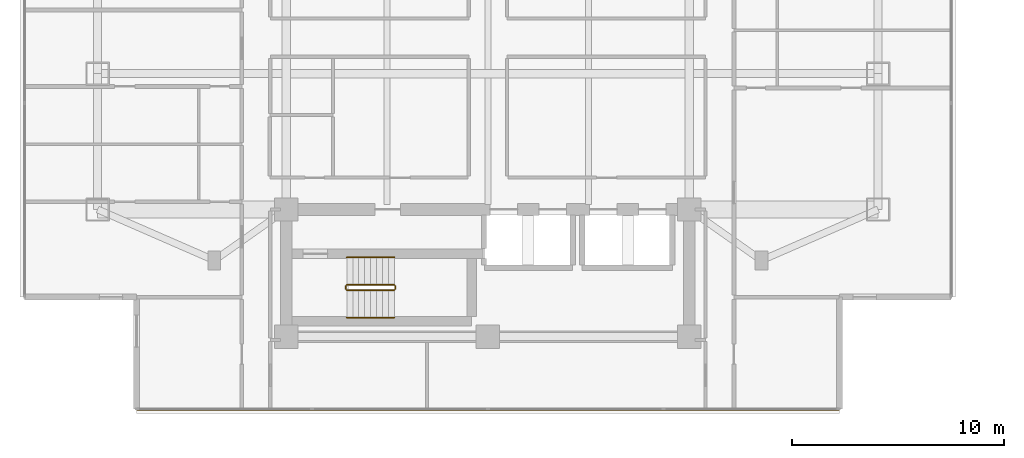
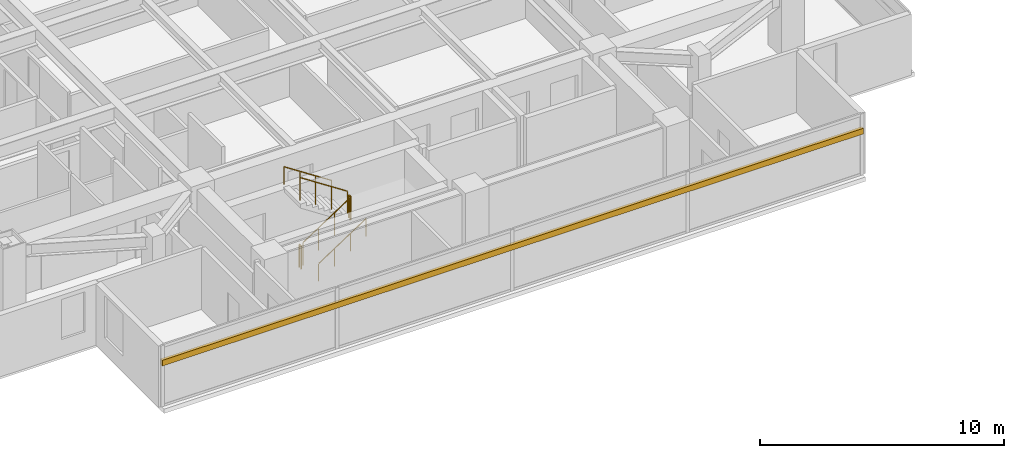
# One storey, part 20 of 24: 6 railings, 1 shading device.
"""IFC4 building model written with IfcOpenShell, lengths in metres."""

from ifc_helpers import new_model, si_unit, direction, frame, origin, origin_2d, place, context, subcontext, project, spatial, rectangle, circle, extrude, material, material_profile, profile_set, type_object, element, save


model = new_model("IFC4")

# Units and contexts
model_context = context("Model", 3, precision=1e-05, world=origin(), true_north=direction((0.0, 1.0)))
body_context = subcontext(model_context, "Body", "Model", "MODEL_VIEW")
ifc_project = project(units=[si_unit("LENGTHUNIT", "METRE"), si_unit("AREAUNIT", "SQUARE_METRE"), si_unit("VOLUMEUNIT", "CUBIC_METRE"), si_unit("PLANEANGLEUNIT", "RADIAN"), si_unit("MASSUNIT", "GRAM", prefix="KILO")], contexts=[model_context])

# Site, building, storey
site_placement = place(None, origin())
site = spatial("IfcSite", under=ifc_project, at=site_placement, CompositionType="ELEMENT")
building_placement = place(site_placement, origin())
building = spatial("IfcBuilding", under=site, at=building_placement, Name="Mirazonda Arch Towers", CompositionType="ELEMENT")
storey_placement = place(building_placement, frame((0.0, 0.0, 141.199951171875)))
storey = spatial("IfcBuildingStorey", under=building, at=storey_placement, Name="L40", CompositionType="ELEMENT", Elevation=141.199951171875)

# Shading device
ifc_material_1 = material(Name="Kiln-Fired Architectural Terracotta", Category="masonry")
ifc_material_profile = material_profile(ifc_material_1, rectangle(XDim=0.139892578125, YDim=0.280029296875, at=origin_2d()), Name="TERRA-BAG-140x280")
ifc_profile_set = profile_set([ifc_material_profile], Name="Kiln-Fired Architectural Terracotta")
shading_device_type = type_object("IfcShadingDeviceType", Name="BAGUETTE-3", PredefinedType="USERDEFINED", material=ifc_profile_set)
shading_device_placement = place(storey_placement, frame((37.070068359375, 8.993896484375, 2.203369140625), z_axis=(-1.0, 0.0, 0.0), x_axis=(0.0, -1.0, 0.0)))
element("IfcShadingDevice", 1, at=shading_device_placement, inside=storey, type_object=shading_device_type, Name="L40 Glazed Terracotta Sun-Screen Baguette CW-L40-T1-S", ObjectType="BAGUETTE", PredefinedType="USERDEFINED", context=body_context, shape_type="SweptSolid", body=[
    extrude(rectangle(XDim=0.139892578125, YDim=0.280029296875, at=origin_2d()), origin(), (0.0, 0.0, 1.0), 33.14013671875),
])

# Railings
ifc_material_2 = material(Name="Architectural Brushed Steel S355", Category="steel")
railing_type_1 = type_object("IfcRailingType", Name="GUARD-STAIR-1120", PredefinedType="GUARDRAIL", material=ifc_material_2)
railing_1_placement = place(storey_placement, frame((13.85009765625, 14.60009765625, 0.183349609375)))
element("IfcRailing", 2, at=railing_1_placement, inside=storey, type_object=railing_type_1, Name="L40 ST-T1S stair guard 1", PredefinedType="GUARDRAIL", context=body_context, shape_type="SweptSolid", body=[
    extrude(circle(Radius=0.02392578125, at=origin_2d()), frame((0.0, 0.0, 1.1259765625), z_axis=(0.836595146698, 0.0, 0.547821650285), x_axis=(0.0, 1.0, 0.0)), (0.0, 0.0, 1.0), 2.677490234375),
    extrude(circle(Radius=0.02099609375, at=origin_2d()), origin(), (0.0, 0.0, 1.0), 1.101806640625),
    extrude(circle(Radius=0.02099609375, at=origin_2d()), frame((0.74658203125, 0.0, 0.489013671875)), (0.0, 0.0, 1.0), 1.101806640625),
    extrude(circle(Radius=0.02099609375, at=origin_2d()), frame((1.493408203125, 0.0, 0.977783203125)), (0.0, 0.0, 1.0), 1.101806640625),
    extrude(circle(Radius=0.02099609375, at=origin_2d()), frame((2.239990234375, 0.0, 1.466796875)), (0.0, 0.0, 1.0), 1.101806640625),
])
railing_2_placement = place(storey_placement, frame((16.139892578125, 14.64990234375, 1.650146484375)))
element("IfcRailing", 3, at=railing_2_placement, inside=storey, type_object=railing_type_1, Name="L40 ST-T1S stair guard 2", PredefinedType="GUARDRAIL", context=body_context, shape_type="SweptSolid", body=[
    extrude(circle(Radius=0.02392578125, at=origin_2d()), frame((0.0, 0.0, 1.1259765625), z_axis=(0.0, 1.0, 0.0), x_axis=(-1.0, 0.0, 0.0)), (0.0, 0.0, 1.0), 0.14013671875),
    extrude(circle(Radius=0.02099609375, at=origin_2d()), origin(), (0.0, 0.0, 1.0), 1.101806640625),
    extrude(circle(Radius=0.02099609375, at=origin_2d()), frame((0.0, 0.14013671875, 0.0)), (0.0, 0.0, 1.0), 1.101806640625),
])
railing_3_placement = place(storey_placement, frame((16.090087890625, 14.840087890625, 1.83349609375)))
element("IfcRailing", 4, at=railing_3_placement, inside=storey, type_object=railing_type_1, Name="L40 ST-T1S stair guard 3", PredefinedType="GUARDRAIL", context=body_context, shape_type="SweptSolid", body=[
    extrude(circle(Radius=0.02392578125, at=origin_2d()), frame((0.0, 0.0, 1.1259765625), z_axis=(-0.836636935527, 0.0, 0.547757827979), x_axis=(0.0, -1.0, 0.0)), (0.0, 0.0, 1.0), 2.677490234375),
    extrude(circle(Radius=0.02099609375, at=origin_2d()), origin(), (0.0, 0.0, 1.0), 1.101806640625),
    extrude(circle(Radius=0.02099609375, at=origin_2d()), frame((-0.74658203125, 0.0, 0.48876953125)), (0.0, 0.0, 1.0), 1.101806640625),
    extrude(circle(Radius=0.02099609375, at=origin_2d()), frame((-1.493408203125, 0.0, 0.977783203125)), (0.0, 0.0, 1.0), 1.101806640625),
    extrude(circle(Radius=0.02099609375, at=origin_2d()), frame((-2.239990234375, 0.0, 1.466552734375)), (0.0, 0.0, 1.0), 1.101806640625),
])
railing_4_placement = place(storey_placement, frame((13.800048828125, 14.64990234375, 0.0)))
element("IfcRailing", 5, at=railing_4_placement, inside=storey, type_object=railing_type_1, Name="L40 ST-T1S stair guard 4", PredefinedType="GUARDRAIL", context=body_context, shape_type="SweptSolid", body=[
    extrude(circle(Radius=0.02392578125, at=origin_2d()), frame((0.0, 0.0, 1.1259765625), z_axis=(0.0, 1.0, 0.0), x_axis=(-1.0, 0.0, 0.0)), (0.0, 0.0, 1.0), 0.14013671875),
    extrude(circle(Radius=0.02099609375, at=origin_2d()), origin(), (0.0, 0.0, 1.0), 1.101806640625),
    extrude(circle(Radius=0.02099609375, at=origin_2d()), frame((0.0, 0.14013671875, 0.0)), (0.0, 0.0, 1.0), 1.101806640625),
])
railing_type_2 = type_object("IfcRailingType", Name="HANDRAIL-915", PredefinedType="HANDRAIL", material=ifc_material_2)
railing_5_placement = place(storey_placement, frame((13.85009765625, 13.300048828125, 0.183349609375)))
element("IfcRailing", 6, at=railing_5_placement, inside=storey, type_object=railing_type_2, Name="L40 ST-T1S stair handrail 1", PredefinedType="HANDRAIL", context=body_context, shape_type="SweptSolid", body=[
    extrude(circle(Radius=0.02392578125, at=origin_2d()), frame((0.0, 0.0, 0.8759765625), z_axis=(0.836595146698, 0.0, 0.547821650285), x_axis=(0.0, 1.0, 0.0)), (0.0, 0.0, 1.0), 2.677490234375),
    extrude(circle(Radius=0.02099609375, at=origin_2d()), origin(), (0.0, 0.0, 1.0), 0.851806640625),
    extrude(circle(Radius=0.02099609375, at=origin_2d()), frame((0.74658203125, 0.0, 0.489013671875)), (0.0, 0.0, 1.0), 0.851806640625),
    extrude(circle(Radius=0.02099609375, at=origin_2d()), frame((1.493408203125, 0.0, 0.977783203125)), (0.0, 0.0, 1.0), 0.851806640625),
    extrude(circle(Radius=0.02099609375, at=origin_2d()), frame((2.239990234375, 0.0, 1.466796875)), (0.0, 0.0, 1.0), 0.851806640625),
])
railing_6_placement = place(storey_placement, frame((16.090087890625, 16.139892578125, 1.83349609375)))
element("IfcRailing", 7, at=railing_6_placement, inside=storey, type_object=railing_type_2, Name="L40 ST-T1S stair handrail 2", PredefinedType="HANDRAIL", context=body_context, shape_type="SweptSolid", body=[
    extrude(circle(Radius=0.02392578125, at=origin_2d()), frame((0.0, 0.0, 0.8759765625), z_axis=(-0.836636935527, 0.0, 0.547757827979), x_axis=(0.0, -1.0, 0.0)), (0.0, 0.0, 1.0), 2.677490234375),
    extrude(circle(Radius=0.02099609375, at=origin_2d()), origin(), (0.0, 0.0, 1.0), 0.851806640625),
    extrude(circle(Radius=0.02099609375, at=origin_2d()), frame((-0.74658203125, 0.0, 0.48876953125)), (0.0, 0.0, 1.0), 0.851806640625),
    extrude(circle(Radius=0.02099609375, at=origin_2d()), frame((-1.493408203125, 0.0, 0.977783203125)), (0.0, 0.0, 1.0), 0.851806640625),
    extrude(circle(Radius=0.02099609375, at=origin_2d()), frame((-2.239990234375, 0.0, 1.466552734375)), (0.0, 0.0, 1.0), 0.851806640625),
])

save(model, "model.ifc")
